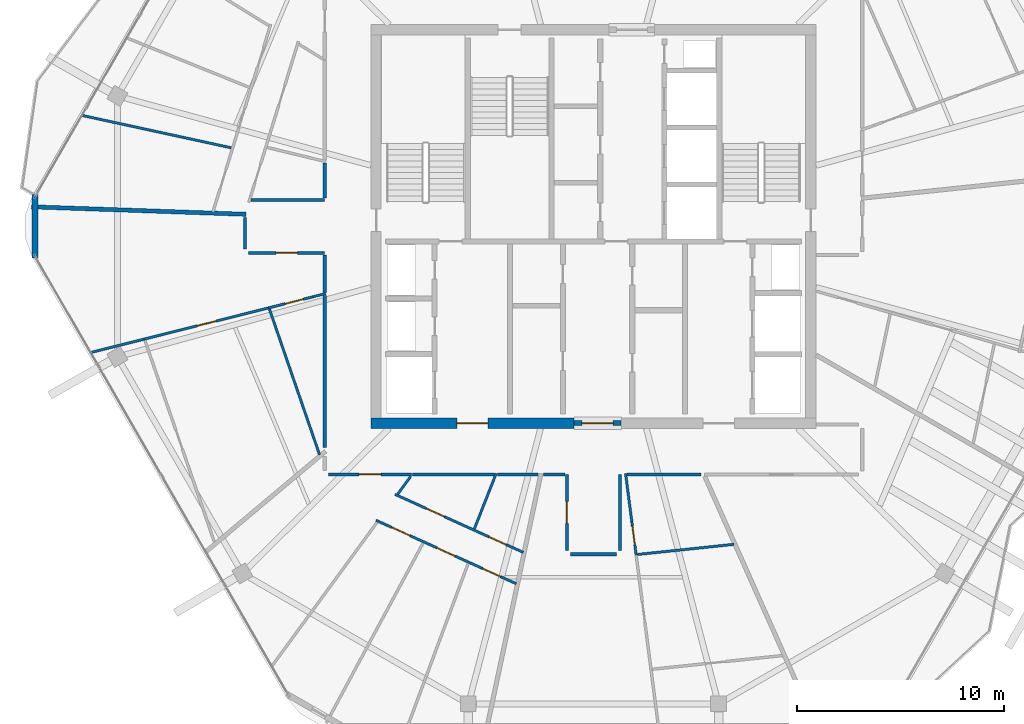
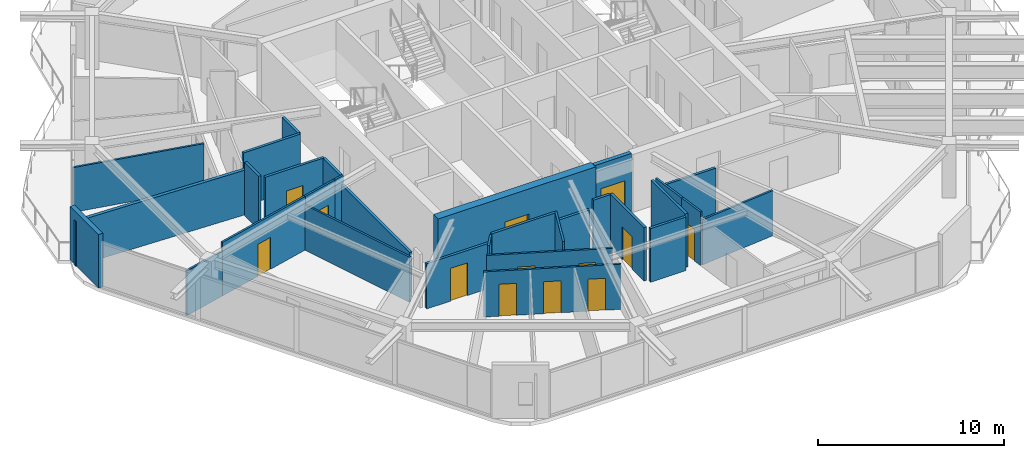
# One storey, part 15 of 23: 31 walls, 13 doors, 13 openings.
"""IFC4 building model written with IfcOpenShell, lengths in metres."""

from ifc_helpers import new_model, si_unit, direction, frame, frame_2d, origin, place, context, subcontext, project, spatial, rectangle, extrude, material, layer, layer_set, type_object, element, fill, save


model = new_model("IFC4")

# Units and contexts
model_context = context("Model", 3, precision=1e-05, world=origin(), true_north=direction((0.0, 1.0)))
body_context = subcontext(model_context, "Body", "Model", "MODEL_VIEW")
ifc_project = project(units=[si_unit("LENGTHUNIT", "METRE"), si_unit("AREAUNIT", "SQUARE_METRE"), si_unit("VOLUMEUNIT", "CUBIC_METRE"), si_unit("PLANEANGLEUNIT", "RADIAN"), si_unit("MASSUNIT", "GRAM", prefix="KILO")], contexts=[model_context])

# Site, building, storey
site_placement = place(None, origin())
site = spatial("IfcSite", under=ifc_project, at=site_placement, CompositionType="ELEMENT")
building_placement = place(site_placement, origin())
building = spatial("IfcBuilding", under=site, at=building_placement, Name="Zuhravey Tower", CompositionType="ELEMENT")
storey_placement = place(building_placement, frame((0.0, 0.0, 350.0)))
storey = spatial("IfcBuildingStorey", under=building, at=storey_placement, Name="L89", CompositionType="ELEMENT", Elevation=350.0)

# Wall, opening, door
ifc_material_1 = material(Name="Concrete C50/60", Category="concrete")
ifc_layer_1 = layer(ifc_material_1, 0.5)
ifc_layer_set_1 = layer_set([ifc_layer_1], Name="Concrete C50/60")
wall_type_1 = type_object("IfcWallType", Name="Core Shear Wall 500", PredefinedType="SHEAR", material=ifc_layer_set_1)
wall_1_placement = place(storey_placement, frame((25.25, 22.5, 0.0), z_axis=(0.0, 0.0, 1.0), x_axis=(1.0, 0.0, 0.0)))
wall_1 = element("IfcWall", 1, at=wall_1_placement, inside=storey, type_object=wall_type_1, Name="L89 South-West Core Shear Wall CW50", PredefinedType="SHEAR", context=body_context, shape_type="SweptSolid", body=[
    extrude(rectangle(XDim=9.800048828125, YDim=0.5, at=frame_2d((4.89990234375, 0.0))), origin(), (0.0, 0.0, 1.0), 3.800048828125),
])
opening_1_placement = place(wall_1_placement, frame((4.14990234375, 0.0, 0.0)))
opening_1 = element("IfcOpeningElement", 2, at=opening_1_placement, cuts=wall_1, Name="Opening FFD1", PredefinedType="OPENING", context=body_context, shape_type="SweptSolid", body=[
    extrude(rectangle(XDim=1.5, YDim=2.14990234375, at=frame_2d((0.75, 1.074951171875))), frame((0.0, 0.261962890625, 0.0), z_axis=(0.0, -1.0, 0.0), x_axis=(1.0, 0.0, 0.0)), (0.0, 0.0, 1.0), 0.52392578125),
])
ifc_material_2 = material(Name="Galvanised fire-rated steel leaf", Category="steel")
door_type_1 = type_object("IfcDoorType", Name="Firefighting Lobby Double Door 1500x2150", OperationType="DOUBLE_DOOR_SINGLE_SWING", PredefinedType="DOOR", material=ifc_material_2)
door_1_placement = place(opening_1_placement, origin())
door_1 = element("IfcDoor", 3, at=door_1_placement, inside=storey, type_object=door_type_1, Name="L89 Firefighting Lobby West Door", OperationType="DOUBLE_DOOR_SINGLE_SWING", OverallHeight=2.14990234375, OverallWidth=1.5, PredefinedType="DOOR", context=body_context, shape_type="SweptSolid", body=[
    extrude(rectangle(XDim=1.5, YDim=2.14990234375, at=frame_2d((0.75, 1.074951171875))), frame((0.0, 0.02490234375, 0.0), z_axis=(0.0, -1.0, 0.0), x_axis=(1.0, 0.0, 0.0)), (0.0, 0.0, 1.0), 0.050048828125),
])
fill(opening_1, door_1)

ifc_material_3 = material(Name="Gypsum fire-rated stud partition")
ifc_layer_2 = layer(ifc_material_3, 0.159912109375)
ifc_layer_set_2 = layer_set([ifc_layer_2], Name="Gypsum fire-rated stud partition")
wall_type_2 = type_object("IfcWallType", Name="Corridor Fire Partition 160", PredefinedType="PARTITIONING", material=ifc_layer_set_2)
wall_2_placement = place(storey_placement, frame((19.35009765625, 30.719970703125, 0.0), z_axis=(0.0, 0.0, 1.0), x_axis=(1.0, 0.0, 0.0)))
wall_2 = element("IfcWall", 4, at=wall_2_placement, inside=storey, type_object=wall_type_2, Name="L89 IW16 Partition 033", PredefinedType="PARTITIONING", context=body_context, shape_type="SweptSolid", body=[
    extrude(rectangle(XDim=3.669921875, YDim=0.159912109375, at=frame_2d((1.8349609375, 0.0))), origin(), (0.0, 0.0, 1.0), 3.52001953125),
])
opening_2_placement = place(wall_2_placement, frame((1.31005859375, 0.0, 0.0)))
opening_2 = element("IfcOpeningElement", 5, at=opening_2_placement, cuts=wall_2, Name="Opening APD1", PredefinedType="OPENING", context=body_context, shape_type="SweptSolid", body=[
    extrude(rectangle(XDim=1.050048828125, YDim=2.14990234375, at=frame_2d((0.52490234375, 1.074951171875))), frame((0.0, 0.092041015625, 0.0), z_axis=(0.0, -1.0, 0.0), x_axis=(1.0, 0.0, 0.0)), (0.0, 0.0, 1.0), 0.183837890625),
])
ifc_material_4 = material(Name="Solid-core oak fire-rated leaf")
door_type_2 = type_object("IfcDoorType", Name="Apartment Entrance Fire Door 1050x2150", OperationType="NOTDEFINED", PredefinedType="DOOR", material=ifc_material_4)
door_2_placement = place(opening_2_placement, frame((1.050048828125, 0.0, 0.0), z_axis=(0.0, 0.0, 1.0), x_axis=(-1.0, 0.0, 0.0)))
door_2 = element("IfcDoor", 6, at=door_2_placement, inside=storey, type_object=door_type_2, Name="L89 Door 033.1", OperationType="SINGLE_SWING_RIGHT", OverallHeight=2.14990234375, OverallWidth=1.050048828125, PredefinedType="DOOR", context=body_context, shape_type="SweptSolid", body=[
    extrude(rectangle(XDim=1.050048828125, YDim=2.14990234375, at=frame_2d((0.52490234375, 1.074951171875))), frame((0.0, 0.02490234375, 0.0), z_axis=(0.0, -1.0, 0.0), x_axis=(1.0, 0.0, 0.0)), (0.0, 0.0, 1.0), 0.050048828125),
])
fill(opening_2, door_2)

wall_3_placement = place(storey_placement, frame((23.20068359375, 20.02001953125, 0.0), z_axis=(0.0, 0.0, 1.0), x_axis=(1.0, 0.0, 0.0)))
wall_3 = element("IfcWall", 7, at=wall_3_placement, inside=storey, type_object=wall_type_2, Name="L89 IW16 Partition 036", PredefinedType="PARTITIONING", context=body_context, shape_type="SweptSolid", body=[
    extrude(rectangle(XDim=4.012939453125, YDim=0.159912109375, at=frame_2d((2.00634765625, 0.0))), origin(), (0.0, 0.0, 1.0), 2.969970703125),
])
opening_3_placement = place(wall_3_placement, frame((1.4814453125, 0.0, 0.0)))
opening_3 = element("IfcOpeningElement", 8, at=opening_3_placement, cuts=wall_3, Name="Opening APD1", PredefinedType="OPENING", context=body_context, shape_type="SweptSolid", body=[
    extrude(rectangle(XDim=1.050048828125, YDim=2.14990234375, at=frame_2d((0.52490234375, 1.074951171875))), frame((0.0, 0.092041015625, 0.0), z_axis=(0.0, -1.0, 0.0), x_axis=(1.0, 0.0, 0.0)), (0.0, 0.0, 1.0), 0.183837890625),
])
door_3_placement = place(opening_3_placement, frame((1.050048828125, 0.0, 0.0), z_axis=(0.0, 0.0, 1.0), x_axis=(-1.0, 0.0, 0.0)))
door_3 = element("IfcDoor", 9, at=door_3_placement, inside=storey, type_object=door_type_2, Name="L89 Door 036.1", OperationType="SINGLE_SWING_RIGHT", OverallHeight=2.14990234375, OverallWidth=1.050048828125, PredefinedType="DOOR", context=body_context, shape_type="SweptSolid", body=[
    extrude(rectangle(XDim=1.050048828125, YDim=2.14990234375, at=frame_2d((0.52490234375, 1.074951171875))), frame((0.0, 0.02490234375, 0.0), z_axis=(0.0, -1.0, 0.0), x_axis=(1.0, 0.0, 0.0)), (0.0, 0.0, 1.0), 0.050048828125),
])
fill(opening_3, door_3)

wall_4_placement = place(storey_placement, frame((34.719970703125, 20.02001953125, 0.0), z_axis=(0.0, 0.0, 1.0), x_axis=(0.0, -1.0, 0.0)))
wall_4 = element("IfcWall", 10, at=wall_4_placement, inside=storey, type_object=wall_type_2, Name="L89 IW16 Partition 040", PredefinedType="PARTITIONING", context=body_context, shape_type="SweptSolid", body=[
    extrude(rectangle(XDim=3.669921875, YDim=0.159912109375, at=frame_2d((1.8349609375, 0.0))), origin(), (0.0, 0.0, 1.0), 3.52001953125),
])
opening_4_placement = place(wall_4_placement, frame((1.31005859375, 0.0, 0.0)))
opening_4 = element("IfcOpeningElement", 11, at=opening_4_placement, cuts=wall_4, Name="Opening APD1", PredefinedType="OPENING", context=body_context, shape_type="SweptSolid", body=[
    extrude(rectangle(XDim=1.050048828125, YDim=2.14990234375, at=frame_2d((0.52490234375, 1.074951171875))), frame((0.0, 0.092041015625, 0.0), z_axis=(0.0, -1.0, 0.0), x_axis=(1.0, 0.0, 0.0)), (0.0, 0.0, 1.0), 0.183837890625),
])
door_4_placement = place(opening_4_placement, origin())
door_4 = element("IfcDoor", 12, at=door_4_placement, inside=storey, type_object=door_type_2, Name="L89 Door 040.1", OperationType="SINGLE_SWING_RIGHT", OverallHeight=2.14990234375, OverallWidth=1.050048828125, PredefinedType="DOOR", context=body_context, shape_type="SweptSolid", body=[
    extrude(rectangle(XDim=1.050048828125, YDim=2.14990234375, at=frame_2d((0.52490234375, 1.074951171875))), frame((0.0, 0.02490234375, 0.0), z_axis=(0.0, -1.0, 0.0), x_axis=(1.0, 0.0, 0.0)), (0.0, 0.0, 1.0), 0.050048828125),
])
fill(opening_4, door_4)

# Walls
wall_5_placement = place(storey_placement, frame((23.02001953125, 33.280029296875, 0.0), z_axis=(0.0, 0.0, 1.0), x_axis=(-1.0, 0.0, 0.0)))
element("IfcWall", 13, at=wall_5_placement, inside=storey, type_object=wall_type_2, Name="L89 IW16 Partition 111", PredefinedType="PARTITIONING", context=body_context, shape_type="SweptSolid", body=[
    extrude(rectangle(XDim=3.55859375, YDim=0.159912109375, at=frame_2d((1.779296875, 0.0))), origin(), (0.0, 0.0, 1.0), 3.52001953125),
])
wall_6_placement = place(storey_placement, frame((23.02001953125, 35.072998046875, 0.0), z_axis=(0.0, 0.0, 1.0), x_axis=(0.0, -1.0, 0.0)))
element("IfcWall", 14, at=wall_6_placement, inside=storey, type_object=wall_type_2, Name="L89 IW16 Partition 112", PredefinedType="PARTITIONING", context=body_context, shape_type="SweptSolid", body=[
    extrude(rectangle(XDim=1.705078125, YDim=0.159912109375, at=frame_2d((0.8525390625, 0.0))), origin(), (0.0, 0.0, 1.0), 3.52001953125),
])
wall_7_placement = place(storey_placement, frame((23.02001953125, 30.632080078125, 0.0), z_axis=(0.0, 0.0, 1.0), x_axis=(0.0, -1.0, 0.0)))
element("IfcWall", 15, at=wall_7_placement, inside=storey, type_object=wall_type_2, Name="L89 IW16 Partition 113", PredefinedType="PARTITIONING", context=body_context, shape_type="SweptSolid", body=[
    extrude(rectangle(XDim=1.8173828125, YDim=0.159912109375, at=frame_2d((0.90869140625, 0.0))), origin(), (0.0, 0.0, 1.0), 3.52001953125),
])
wall_8_placement = place(storey_placement, frame((19.169921875, 32.420654296875, 0.0), z_axis=(0.0, 0.0, 1.0), x_axis=(0.0, -1.0, 0.0)))
element("IfcWall", 16, at=wall_8_placement, inside=storey, type_object=wall_type_2, Name="L89 IW16 Partition 114", PredefinedType="PARTITIONING", context=body_context, shape_type="SweptSolid", body=[
    extrude(rectangle(XDim=1.520751953125, YDim=0.159912109375, at=frame_2d((0.76025390625, 0.0))), origin(), (0.0, 0.0, 1.0), 3.52001953125),
])
wall_9_placement = place(storey_placement, frame((23.02001953125, 28.67431640625, 0.0), z_axis=(0.0, 0.0, 1.0), x_axis=(0.0, -1.0, 0.0)))
element("IfcWall", 17, at=wall_9_placement, inside=storey, type_object=wall_type_2, Name="L89 IW16 Partition 115", PredefinedType="PARTITIONING", context=body_context, shape_type="SweptSolid", body=[
    extrude(rectangle(XDim=7.348388671875, YDim=0.159912109375, at=frame_2d((3.67431640625, 0.0))), origin(), (0.0, 0.0, 1.0), 2.969970703125),
])
wall_10_placement = place(storey_placement, frame((27.26318359375, 20.02001953125, 0.0), z_axis=(0.0, 0.0, 1.0), x_axis=(1.0, 0.0, 0.0)))
element("IfcWall", 18, at=wall_10_placement, inside=storey, type_object=wall_type_2, Name="L89 IW16 Partition 117", PredefinedType="PARTITIONING", context=body_context, shape_type="SweptSolid", body=[
    extrude(rectangle(XDim=3.945068359375, YDim=0.159912109375, at=frame_2d((1.97265625, 0.0))), origin(), (0.0, 0.0, 1.0), 3.52001953125),
])
wall_11_placement = place(storey_placement, frame((31.3544921875, 20.02001953125, 0.0), z_axis=(0.0, 0.0, 1.0), x_axis=(1.0, 0.0, 0.0)))
element("IfcWall", 19, at=wall_11_placement, inside=storey, type_object=wall_type_2, Name="L89 IW16 Partition 118", PredefinedType="PARTITIONING", context=body_context, shape_type="SweptSolid", body=[
    extrude(rectangle(XDim=1.968994140625, YDim=0.159912109375, at=frame_2d((0.984375, 0.0))), origin(), (0.0, 0.0, 1.0), 2.969970703125),
])
wall_12_placement = place(storey_placement, frame((37.280029296875, 16.35009765625, 0.0), z_axis=(0.0, 0.0, 1.0), x_axis=(0.0, 1.0, 0.0)))
element("IfcWall", 20, at=wall_12_placement, inside=storey, type_object=wall_type_2, Name="L89 IW16 Partition 119", PredefinedType="PARTITIONING", context=body_context, shape_type="SweptSolid", body=[
    extrude(rectangle(XDim=3.669921875, YDim=0.159912109375, at=frame_2d((1.8349609375, 0.0))), origin(), (0.0, 0.0, 1.0), 3.52001953125),
])
wall_13_placement = place(storey_placement, frame((34.89990234375, 16.169921875, 0.0), z_axis=(0.0, 0.0, 1.0), x_axis=(1.0, 0.0, 0.0)))
element("IfcWall", 21, at=wall_13_placement, inside=storey, type_object=wall_type_2, Name="L89 IW16 Partition 120", PredefinedType="PARTITIONING", context=body_context, shape_type="SweptSolid", body=[
    extrude(rectangle(XDim=2.2001953125, YDim=0.159912109375, at=frame_2d((1.10009765625, 0.0))), origin(), (0.0, 0.0, 1.0), 3.52001953125),
])
wall_14_placement = place(storey_placement, frame((33.5830078125, 20.02001953125, 0.0), z_axis=(0.0, 0.0, 1.0), x_axis=(1.0, 0.0, 0.0)))
element("IfcWall", 22, at=wall_14_placement, inside=storey, type_object=wall_type_2, Name="L89 IW16 Partition 121", PredefinedType="PARTITIONING", context=body_context, shape_type="SweptSolid", body=[
    extrude(rectangle(XDim=1.049072265625, YDim=0.159912109375, at=frame_2d((0.5244140625, 0.0))), origin(), (0.0, 0.0, 1.0), 3.52001953125),
])
wall_15_placement = place(storey_placement, frame((37.62451171875, 20.02001953125, 0.0), z_axis=(0.0, 0.0, 1.0), x_axis=(1.0, 0.0, 0.0)))
element("IfcWall", 23, at=wall_15_placement, inside=storey, type_object=wall_type_2, Name="L89 IW16 Partition 122", PredefinedType="PARTITIONING", context=body_context, shape_type="SweptSolid", body=[
    extrude(rectangle(XDim=3.562744140625, YDim=0.159912109375, at=frame_2d((1.78125, 0.0))), origin(), (0.0, 0.0, 1.0), 2.969970703125),
])
ifc_material_5 = material(Name="Precast concrete C40/50", Category="concrete")
ifc_layer_3 = layer(ifc_material_5, 0.280029296875)
ifc_layer_set_3 = layer_set([ifc_layer_3], Name="Precast concrete C40/50")
wall_type_3 = type_object("IfcWallType", Name="Crown Architectural Wall 280", PredefinedType="SOLIDWALL", material=ifc_layer_set_3)
wall_16_placement = place(storey_placement, frame((9.031494140625, 30.467529296875, 0.0), z_axis=(0.0, 0.0, 1.0), x_axis=(0.0, 1.0, 0.0)))
element("IfcWall", 24, at=wall_16_placement, inside=storey, type_object=wall_type_3, Name="L89 Rounded Corner Closure Wall EW28-06", PredefinedType="SOLIDWALL", context=body_context, shape_type="SweptSolid", body=[
    extrude(rectangle(XDim=3.06494140625, YDim=0.280029296875, at=frame_2d((1.532470703125, 0.0))), origin(), (0.0, 0.0, 1.0), 3.52001953125),
])

# Wall, opening, door
ifc_layer_4 = layer(ifc_material_1, 0.25)
ifc_layer_set_4 = layer_set([ifc_layer_4], Name="Concrete C50/60")
wall_type_4 = type_object("IfcWallType", Name="Firefighting Shaft & Stair Wall 250", PredefinedType="SOLIDWALL", material=ifc_layer_set_4)
wall_17_placement = place(storey_placement, frame((35.06005859375, 22.5, 0.0), z_axis=(0.0, 0.0, 1.0), x_axis=(1.0, 0.0, 0.0)))
wall_17 = element("IfcWall", 25, at=wall_17_placement, inside=storey, type_object=wall_type_4, Name="L89 FW25 Shaft Wall 001", PredefinedType="SOLIDWALL", context=body_context, shape_type="SweptSolid", body=[
    extrude(rectangle(XDim=2.280029296875, YDim=0.25, at=frame_2d((1.14013671875, 0.0))), origin(), (0.0, 0.0, 1.0), 3.800048828125),
])
opening_5_placement = place(wall_17_placement, frame((0.389892578125, 0.0, 0.0)))
opening_5 = element("IfcOpeningElement", 26, at=opening_5_placement, cuts=wall_17, Name="Opening FFD1", PredefinedType="OPENING", context=body_context, shape_type="SweptSolid", body=[
    extrude(rectangle(XDim=1.5, YDim=2.14990234375, at=frame_2d((0.75, 1.074951171875))), frame((0.0, 0.136962890625, 0.0), z_axis=(0.0, -1.0, 0.0), x_axis=(1.0, 0.0, 0.0)), (0.0, 0.0, 1.0), 0.27392578125),
])
door_5_placement = place(opening_5_placement, frame((1.5, 0.0, 0.0), z_axis=(0.0, 0.0, 1.0), x_axis=(-1.0, 0.0, 0.0)))
door_5 = element("IfcDoor", 27, at=door_5_placement, inside=storey, type_object=door_type_1, Name="L89 South Lift Lobby Exit Door", OperationType="DOUBLE_DOOR_SINGLE_SWING", OverallHeight=2.14990234375, OverallWidth=1.5, PredefinedType="DOOR", context=body_context, shape_type="SweptSolid", body=[
    extrude(rectangle(XDim=1.5, YDim=2.14990234375, at=frame_2d((0.75, 1.074951171875))), frame((0.0, 0.02490234375, 0.0), z_axis=(0.0, -1.0, 0.0), x_axis=(1.0, 0.0, 0.0)), (0.0, 0.0, 1.0), 0.050048828125),
])
fill(opening_5, door_5)

# Wall
ifc_material_6 = material(Name="Gypsum double-stud party assembly")
ifc_layer_5 = layer(ifc_material_6, 0.199951171875)
ifc_layer_set_5 = layer_set([ifc_layer_5], Name="Gypsum double-stud party assembly")
wall_type_5 = type_object("IfcWallType", Name="Inter-Tenancy Party Wall 200", PredefinedType="PARTITIONING", material=ifc_layer_set_5)
wall_18_placement = place(storey_placement, frame((19.2099609375, 32.586181640625, 0.0), z_axis=(0.0, 0.0, 1.0), x_axis=(-0.999390829102, 0.034899437044, 0.0)))
element("IfcWall", 28, at=wall_18_placement, inside=storey, type_object=wall_type_5, Name="L89 IW20 Partition 076", PredefinedType="PARTITIONING", context=body_context, shape_type="SweptSolid", body=[
    extrude(rectangle(XDim=10.367431640625, YDim=0.199951171875, at=frame_2d((5.18359375, 0.0))), origin(), (0.0, 0.0, 1.0), 2.93994140625),
])

# Wall, opening, door
ifc_material_7 = material(Name="Gypsum metal-stud partition")
ifc_layer_6 = layer(ifc_material_7, 0.1201171875)
ifc_layer_set_6 = layer_set([ifc_layer_6], Name="Gypsum metal-stud partition")
wall_type_6 = type_object("IfcWallType", Name="Unit Internal Partition 120", PredefinedType="PARTITIONING", material=ifc_layer_set_6)
wall_19_placement = place(storey_placement, frame((22.449951171875, 28.6015625, 0.0), z_axis=(0.0, 0.0, 1.0), x_axis=(-0.969941016034, -0.243340143452, 0.0)))
wall_19 = element("IfcWall", 29, at=wall_19_placement, inside=storey, type_object=wall_type_6, Name="L89 IW12 Partition 030", PredefinedType="PARTITIONING", context=body_context, shape_type="SweptSolid", body=[
    extrude(rectangle(XDim=2.213134765625, YDim=0.1201171875, at=frame_2d((1.1064453125, 0.0))), origin(), (0.0, 0.0, 1.0), 3.52001953125),
])
opening_6_placement = place(wall_19_placement, frame((0.4794921875, 0.0, 0.0)))
opening_6 = element("IfcOpeningElement", 30, at=opening_6_placement, cuts=wall_19, Name="Opening WCD1", PredefinedType="OPENING", context=body_context, shape_type="SweptSolid", body=[
    extrude(rectangle(XDim=0.89990234375, YDim=2.10009765625, at=frame_2d((0.449951171875, 1.050048828125))), frame((0.0, 0.072021484375, 0.0), z_axis=(0.0, -1.0, 0.0), x_axis=(1.0, 0.0, 0.0)), (0.0, 0.0, 1.0), 0.14404296875),
])
ifc_material_8 = material(Name="Moisture-resistant timber leaf", Category="wood")
door_type_3 = type_object("IfcDoorType", Name="Bathroom & WC Internal Door 900x2100", OperationType="NOTDEFINED", PredefinedType="DOOR", material=ifc_material_8)
door_6_placement = place(opening_6_placement, origin())
door_6 = element("IfcDoor", 31, at=door_6_placement, inside=storey, type_object=door_type_3, Name="Apartment L89-04 Bathroom Door", OperationType="SINGLE_SWING_LEFT", OverallHeight=2.10009765625, OverallWidth=0.89990234375, PredefinedType="DOOR", context=body_context, shape_type="SweptSolid", body=[
    extrude(rectangle(XDim=0.89990234375, YDim=2.10009765625, at=frame_2d((0.449951171875, 1.050048828125))), frame((0.0, 0.02490234375, 0.0), z_axis=(0.0, -1.0, 0.0), x_axis=(1.0, 0.0, 0.0)), (0.0, 0.0, 1.0), 0.050048828125),
])
fill(opening_6, door_6)

wall_20_placement = place(storey_placement, frame((20.30322265625, 28.06298828125, 0.0), z_axis=(0.0, 0.0, 1.0), x_axis=(-0.969954547898, -0.243286199796, 0.0)))
wall_20 = element("IfcWall", 32, at=wall_20_placement, inside=storey, type_object=wall_type_6, Name="L89 IW12 Partition 031", PredefinedType="PARTITIONING", context=body_context, shape_type="SweptSolid", body=[
    extrude(rectangle(XDim=6.19873046875, YDim=0.1201171875, at=frame_2d((3.099365234375, 0.0))), origin(), (0.0, 0.0, 1.0), 3.52001953125),
])
opening_7_placement = place(wall_20_placement, frame((2.599365234375, 0.0, 0.0)))
opening_7 = element("IfcOpeningElement", 33, at=opening_7_placement, cuts=wall_20, Name="Opening IND1", PredefinedType="OPENING", context=body_context, shape_type="SweptSolid", body=[
    extrude(rectangle(XDim=0.949951171875, YDim=2.10009765625, at=frame_2d((0.47509765625, 1.050048828125))), frame((0.0, 0.072021484375, 0.0), z_axis=(0.0, -1.0, 0.0), x_axis=(1.0, 0.0, 0.0)), (0.0, 0.0, 1.0), 0.14404296875),
])
ifc_material_9 = material(Name="Painted engineered timber leaf", Category="wood")
door_type_4 = type_object("IfcDoorType", Name="Internal Room & Bedroom Door 950x2100", OperationType="NOTDEFINED", PredefinedType="DOOR", material=ifc_material_9)
door_7_placement = place(opening_7_placement, origin())
door_7 = element("IfcDoor", 34, at=door_7_placement, inside=storey, type_object=door_type_4, Name="Apartment L89-04 Home Office Door", OperationType="SINGLE_SWING_RIGHT", OverallHeight=2.10009765625, OverallWidth=0.949951171875, PredefinedType="DOOR", context=body_context, shape_type="SweptSolid", body=[
    extrude(rectangle(XDim=0.949951171875, YDim=2.10009765625, at=frame_2d((0.47509765625, 1.050048828125))), frame((0.0, 0.02490234375, 0.0), z_axis=(0.0, -1.0, 0.0), x_axis=(1.0, 0.0, 0.0)), (0.0, 0.0, 1.0), 0.050048828125),
])
fill(opening_7, door_7)

# Wall, openings, doors
wall_21_placement = place(storey_placement, frame((26.413330078125, 19.061279296875, 0.0), z_axis=(0.0, 0.0, 1.0), x_axis=(0.911113377023, -0.412155813024, 0.0)))
wall_21 = element("IfcWall", 35, at=wall_21_placement, inside=storey, type_object=wall_type_6, Name="L89 IW12 Partition 034", PredefinedType="PARTITIONING", context=body_context, shape_type="SweptSolid", body=[
    extrude(rectangle(XDim=6.8037109375, YDim=0.1201171875, at=frame_2d((3.40185546875, 0.0))), origin(), (0.0, 0.0, 1.0), 2.969970703125),
])
opening_8_placement = place(wall_21_placement, frame((1.66748046875, 0.0, 0.0)))
opening_8 = element("IfcOpeningElement", 36, at=opening_8_placement, cuts=wall_21, Name="Opening IND1", PredefinedType="OPENING", context=body_context, shape_type="SweptSolid", body=[
    extrude(rectangle(XDim=0.949951171875, YDim=2.10009765625, at=frame_2d((0.47509765625, 1.050048828125))), frame((0.0, 0.072021484375, 0.0), z_axis=(0.0, -1.0, 0.0), x_axis=(1.0, 0.0, 0.0)), (0.0, 0.0, 1.0), 0.14404296875),
])
opening_9_placement = place(wall_21_placement, frame((4.9921875, 0.0, 0.0)))
opening_9 = element("IfcOpeningElement", 37, at=opening_9_placement, cuts=wall_21, Name="Opening WCD1", PredefinedType="OPENING", context=body_context, shape_type="SweptSolid", body=[
    extrude(rectangle(XDim=0.89990234375, YDim=2.10009765625, at=frame_2d((0.449951171875, 1.050048828125))), frame((0.0, 0.072021484375, 0.0), z_axis=(0.0, -1.0, 0.0), x_axis=(1.0, 0.0, 0.0)), (0.0, 0.0, 1.0), 0.14404296875),
])
door_8_placement = place(opening_9_placement, origin())
door_8 = element("IfcDoor", 38, at=door_8_placement, inside=storey, type_object=door_type_3, Name="Apartment L89-05 Bathroom Door", OperationType="SINGLE_SWING_RIGHT", OverallHeight=2.10009765625, OverallWidth=0.89990234375, PredefinedType="DOOR", context=body_context, shape_type="SweptSolid", body=[
    extrude(rectangle(XDim=0.89990234375, YDim=2.10009765625, at=frame_2d((0.449951171875, 1.050048828125))), frame((0.0, 0.02490234375, 0.0), z_axis=(0.0, -1.0, 0.0), x_axis=(1.0, 0.0, 0.0)), (0.0, 0.0, 1.0), 0.050048828125),
])
fill(opening_9, door_8)
door_9_placement = place(opening_8_placement, origin())
door_9 = element("IfcDoor", 39, at=door_9_placement, inside=storey, type_object=door_type_4, Name="Apartment L89-05 Kitchen Door", OperationType="SINGLE_SWING_LEFT", OverallHeight=2.10009765625, OverallWidth=0.949951171875, PredefinedType="DOOR", context=body_context, shape_type="SweptSolid", body=[
    extrude(rectangle(XDim=0.949951171875, YDim=2.10009765625, at=frame_2d((0.47509765625, 1.050048828125))), frame((0.0, 0.02490234375, 0.0), z_axis=(0.0, -1.0, 0.0), x_axis=(1.0, 0.0, 0.0)), (0.0, 0.0, 1.0), 0.050048828125),
])
fill(opening_8, door_9)

wall_22_placement = place(storey_placement, frame((25.49658203125, 17.807861328125, 0.0), z_axis=(0.0, 0.0, 1.0), x_axis=(0.911109976368, -0.412163330445, 0.0)))
wall_22 = element("IfcWall", 40, at=wall_22_placement, inside=storey, type_object=wall_type_6, Name="L89 IW12 Partition 035", PredefinedType="PARTITIONING", context=body_context, shape_type="SweptSolid", body=[
    extrude(rectangle(XDim=7.44091796875, YDim=0.1201171875, at=frame_2d((3.720458984375, 0.0))), origin(), (0.0, 0.0, 1.0), 2.969970703125),
])
opening_10_placement = place(wall_22_placement, frame((0.83984375, 0.0, 0.0)))
opening_10 = element("IfcOpeningElement", 41, at=opening_10_placement, cuts=wall_22, Name="Opening IND1", PredefinedType="OPENING", context=body_context, shape_type="SweptSolid", body=[
    extrude(rectangle(XDim=0.949951171875, YDim=2.10009765625, at=frame_2d((0.47509765625, 1.050048828125))), frame((0.0, 0.072021484375, 0.0), z_axis=(0.0, -1.0, 0.0), x_axis=(1.0, 0.0, 0.0)), (0.0, 0.0, 1.0), 0.14404296875),
])
opening_11_placement = place(wall_22_placement, frame((3.24560546875, 0.0, 0.0)))
opening_11 = element("IfcOpeningElement", 42, at=opening_11_placement, cuts=wall_22, Name="Opening IND1", PredefinedType="OPENING", context=body_context, shape_type="SweptSolid", body=[
    extrude(rectangle(XDim=0.949951171875, YDim=2.10009765625, at=frame_2d((0.47509765625, 1.050048828125))), frame((0.0, 0.072021484375, 0.0), z_axis=(0.0, -1.0, 0.0), x_axis=(1.0, 0.0, 0.0)), (0.0, 0.0, 1.0), 0.14404296875),
])
opening_12_placement = place(wall_22_placement, frame((5.651123046875, 0.0, 0.0)))
opening_12 = element("IfcOpeningElement", 43, at=opening_12_placement, cuts=wall_22, Name="Opening IND1", PredefinedType="OPENING", context=body_context, shape_type="SweptSolid", body=[
    extrude(rectangle(XDim=0.949951171875, YDim=2.10009765625, at=frame_2d((0.47509765625, 1.050048828125))), frame((0.0, 0.072021484375, 0.0), z_axis=(0.0, -1.0, 0.0), x_axis=(1.0, 0.0, 0.0)), (0.0, 0.0, 1.0), 0.14404296875),
])
door_10_placement = place(opening_10_placement, frame((0.949951171875, 0.0, 0.0), z_axis=(0.0, 0.0, 1.0), x_axis=(-1.0, 0.0, 0.0)))
door_10 = element("IfcDoor", 44, at=door_10_placement, inside=storey, type_object=door_type_4, Name="Apartment L89-05 Bedroom 1 Door", OperationType="SINGLE_SWING_LEFT", OverallHeight=2.10009765625, OverallWidth=0.949951171875, PredefinedType="DOOR", context=body_context, shape_type="SweptSolid", body=[
    extrude(rectangle(XDim=0.949951171875, YDim=2.10009765625, at=frame_2d((0.47509765625, 1.050048828125))), frame((0.0, 0.02490234375, 0.0), z_axis=(0.0, -1.0, 0.0), x_axis=(1.0, 0.0, 0.0)), (0.0, 0.0, 1.0), 0.050048828125),
])
fill(opening_10, door_10)
door_11_placement = place(opening_11_placement, frame((0.949951171875, 0.0, 0.0), z_axis=(0.0, 0.0, 1.0), x_axis=(-1.0, 0.0, 0.0)))
door_11 = element("IfcDoor", 45, at=door_11_placement, inside=storey, type_object=door_type_4, Name="Apartment L89-05 Bedroom 2 Door", OperationType="SINGLE_SWING_RIGHT", OverallHeight=2.10009765625, OverallWidth=0.949951171875, PredefinedType="DOOR", context=body_context, shape_type="SweptSolid", body=[
    extrude(rectangle(XDim=0.949951171875, YDim=2.10009765625, at=frame_2d((0.47509765625, 1.050048828125))), frame((0.0, 0.02490234375, 0.0), z_axis=(0.0, -1.0, 0.0), x_axis=(1.0, 0.0, 0.0)), (0.0, 0.0, 1.0), 0.050048828125),
])
fill(opening_11, door_11)
door_12_placement = place(opening_12_placement, frame((0.949951171875, 0.0, 0.0), z_axis=(0.0, 0.0, 1.0), x_axis=(-1.0, 0.0, 0.0)))
door_12 = element("IfcDoor", 46, at=door_12_placement, inside=storey, type_object=door_type_4, Name="Apartment L89-05 Bedroom 3 Door", OperationType="SINGLE_SWING_LEFT", OverallHeight=2.10009765625, OverallWidth=0.949951171875, PredefinedType="DOOR", context=body_context, shape_type="SweptSolid", body=[
    extrude(rectangle(XDim=0.949951171875, YDim=2.10009765625, at=frame_2d((0.47509765625, 1.050048828125))), frame((0.0, 0.02490234375, 0.0), z_axis=(0.0, -1.0, 0.0), x_axis=(1.0, 0.0, 0.0)), (0.0, 0.0, 1.0), 0.050048828125),
])
fill(opening_12, door_12)

# Wall, opening, door
wall_23_placement = place(storey_placement, frame((37.85009765625, 17.755859375, 0.0), z_axis=(0.0, 0.0, 1.0), x_axis=(0.128818907628, -0.991668134528, 0.0)))
wall_23 = element("IfcWall", 47, at=wall_23_placement, inside=storey, type_object=wall_type_6, Name="L89 IW12 Partition 037", PredefinedType="PARTITIONING", context=body_context, shape_type="SweptSolid", body=[
    extrude(rectangle(XDim=1.64501953125, YDim=0.1201171875, at=frame_2d((0.822509765625, 0.0))), origin(), (0.0, 0.0, 1.0), 3.52001953125),
])
opening_13_placement = place(wall_23_placement, frame((0.240966796875, 0.0, 0.0)))
opening_13 = element("IfcOpeningElement", 48, at=opening_13_placement, cuts=wall_23, Name="Opening WCD1", PredefinedType="OPENING", context=body_context, shape_type="SweptSolid", body=[
    extrude(rectangle(XDim=0.89990234375, YDim=2.10009765625, at=frame_2d((0.449951171875, 1.050048828125))), frame((0.0, 0.072021484375, 0.0), z_axis=(0.0, -1.0, 0.0), x_axis=(1.0, 0.0, 0.0)), (0.0, 0.0, 1.0), 0.14404296875),
])
door_13_placement = place(opening_13_placement, origin())
door_13 = element("IfcDoor", 49, at=door_13_placement, inside=storey, type_object=door_type_3, Name="Apartment L89-06 Bathroom Door", OperationType="SINGLE_SWING_LEFT", OverallHeight=2.10009765625, OverallWidth=0.89990234375, PredefinedType="DOOR", context=body_context, shape_type="SweptSolid", body=[
    extrude(rectangle(XDim=0.89990234375, YDim=2.10009765625, at=frame_2d((0.449951171875, 1.050048828125))), frame((0.0, 0.02490234375, 0.0), z_axis=(0.0, -1.0, 0.0), x_axis=(1.0, 0.0, 0.0)), (0.0, 0.0, 1.0), 0.050048828125),
])
fill(opening_13, door_13)

# Walls
wall_24_placement = place(storey_placement, frame((18.504150390625, 35.797607421875, 0.0), z_axis=(0.0, 0.0, 1.0), x_axis=(-0.977240169093, 0.212135927914, 0.0)))
element("IfcWall", 50, at=wall_24_placement, inside=storey, type_object=wall_type_6, Name="L89 IW12 Partition 073", PredefinedType="PARTITIONING", context=body_context, shape_type="SweptSolid", body=[
    extrude(rectangle(XDim=7.385009765625, YDim=0.1201171875, at=frame_2d((3.6923828125, 0.0))), origin(), (0.0, 0.0, 1.0), 2.93994140625),
])
wall_25_placement = place(storey_placement, frame((23.064208984375, 28.755615234375, 0.0), z_axis=(0.0, 0.0, 1.0), x_axis=(-0.969960808965, -0.243261236271, 0.0)))
element("IfcWall", 51, at=wall_25_placement, inside=storey, type_object=wall_type_6, Name="L89 IW12 Partition 077", PredefinedType="PARTITIONING", context=body_context, shape_type="SweptSolid", body=[
    extrude(rectangle(XDim=0.63330078125, YDim=0.1201171875, at=frame_2d((0.316650390625, 0.0))), origin(), (0.0, 0.0, 1.0), 3.52001953125),
])
wall_26_placement = place(storey_placement, frame((14.290771484375, 26.554931640625, 0.0), z_axis=(0.0, 0.0, 1.0), x_axis=(-0.969963851094, -0.243249106002, 0.0)))
element("IfcWall", 52, at=wall_26_placement, inside=storey, type_object=wall_type_6, Name="L89 IW12 Partition 078", PredefinedType="PARTITIONING", context=body_context, shape_type="SweptSolid", body=[
    extrude(rectangle(XDim=2.65673828125, YDim=0.1201171875, at=frame_2d((1.328369140625, 0.0))), origin(), (0.0, 0.0, 1.0), 2.93994140625),
])
wall_27_placement = place(storey_placement, frame((20.349853515625, 28.004638671875, 0.0), z_axis=(0.0, 0.0, 1.0), x_axis=(0.32554082169, -0.945527986584, 0.0)))
element("IfcWall", 53, at=wall_27_placement, inside=storey, type_object=wall_type_6, Name="L89 IW12 Partition 079", PredefinedType="PARTITIONING", context=body_context, shape_type="SweptSolid", body=[
    extrude(rectangle(XDim=7.443359375, YDim=0.1201171875, at=frame_2d((3.7216796875, 0.0))), origin(), (0.0, 0.0, 1.0), 2.969970703125),
])
wall_28_placement = place(storey_placement, frame((31.301025390625, 20.070068359375, 0.0), z_axis=(0.0, 0.0, 1.0), x_axis=(-0.366426296645, -0.93044708024, 0.0)))
element("IfcWall", 54, at=wall_28_placement, inside=storey, type_object=wall_type_6, Name="L89 IW12 Partition 081", PredefinedType="PARTITIONING", context=body_context, shape_type="SweptSolid", body=[
    extrude(rectangle(XDim=2.868896484375, YDim=0.1201171875, at=frame_2d((1.4345703125, 0.0))), origin(), (0.0, 0.0, 1.0), 3.52001953125),
])
wall_29_placement = place(storey_placement, frame((27.174072265625, 19.931884765625, 0.0), z_axis=(0.0, 0.0, 1.0), x_axis=(-0.590276099666, -0.807201416106, 0.0)))
element("IfcWall", 55, at=wall_29_placement, inside=storey, type_object=wall_type_6, Name="L89 IW12 Partition 084", PredefinedType="PARTITIONING", context=body_context, shape_type="SweptSolid", body=[
    extrude(rectangle(XDim=1.061279296875, YDim=0.1201171875, at=frame_2d((0.53076171875, 0.0))), origin(), (0.0, 0.0, 1.0), 3.52001953125),
])
wall_30_placement = place(storey_placement, frame((37.550048828125, 20.064697265625, 0.0), z_axis=(0.0, 0.0, 1.0), x_axis=(0.128872952033, -0.991661112596, 0.0)))
element("IfcWall", 56, at=wall_30_placement, inside=storey, type_object=wall_type_6, Name="L89 IW12 Partition 087", PredefinedType="PARTITIONING", context=body_context, shape_type="SweptSolid", body=[
    extrude(rectangle(XDim=2.328369140625, YDim=0.1201171875, at=frame_2d((1.1640625, 0.0))), origin(), (0.0, 0.0, 1.0), 3.52001953125),
])
wall_31_placement = place(storey_placement, frame((38.126220703125, 16.156494140625, 0.0), z_axis=(0.0, 0.0, 1.0), x_axis=(0.994525709455, 0.104492168289, 0.0)))
element("IfcWall", 57, at=wall_31_placement, inside=storey, type_object=wall_type_6, Name="L89 IW12 Partition 089", PredefinedType="PARTITIONING", context=body_context, shape_type="SweptSolid", body=[
    extrude(rectangle(XDim=4.6845703125, YDim=0.1201171875, at=frame_2d((2.34228515625, 0.0))), origin(), (0.0, 0.0, 1.0), 2.969970703125),
])

save(model, "model.ifc")
